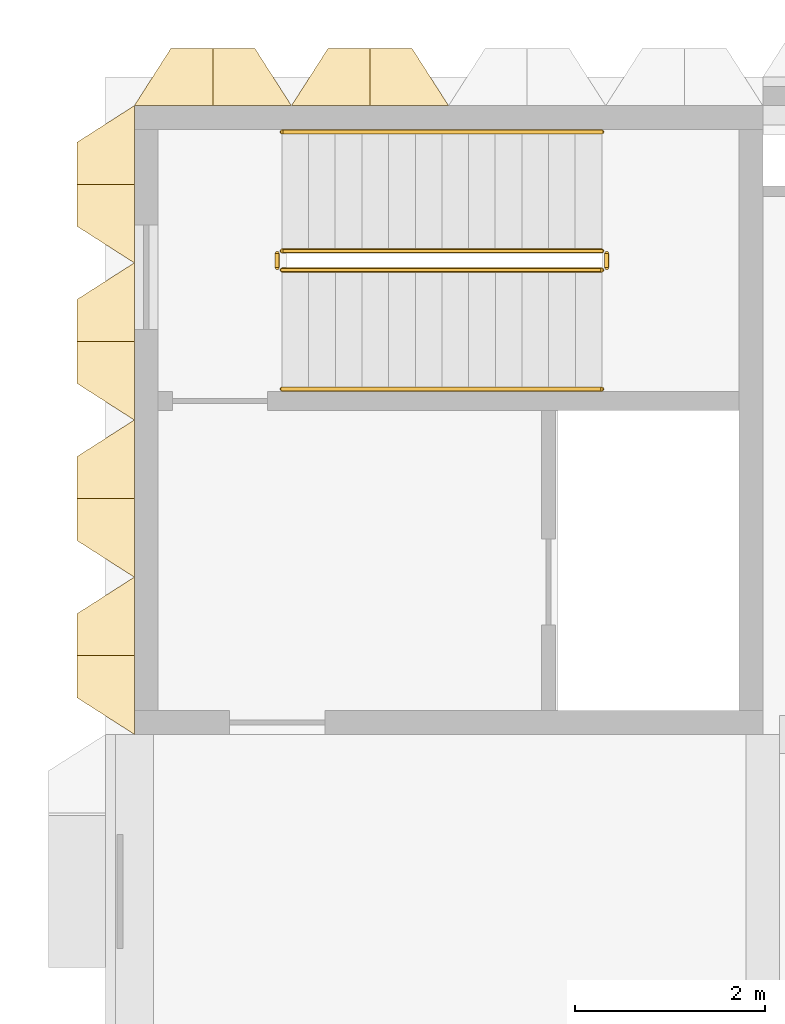
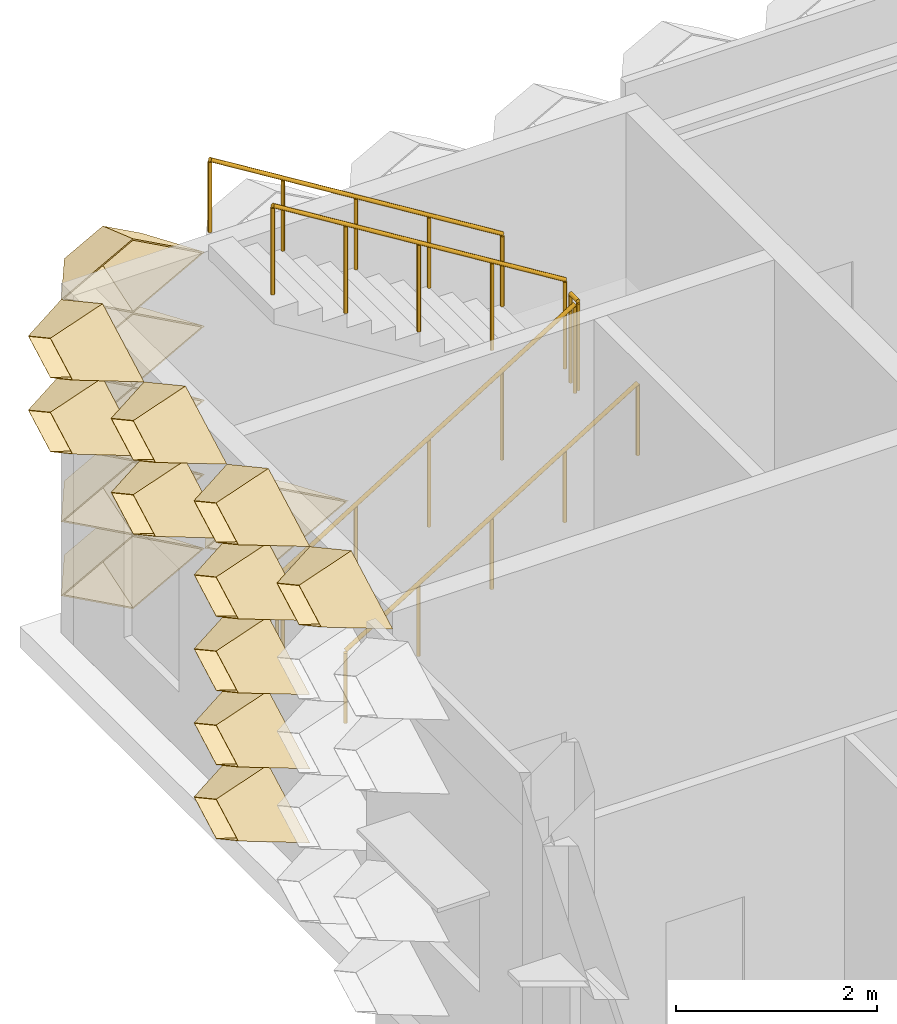
# One storey, part 76 of 87: 16 coverings, 6 railings.
"""IFC4 building model written with IfcOpenShell, lengths in metres."""

from ifc_helpers import new_model, entity, si_unit, direction, frame, origin, origin_2d, place, context, subcontext, project, spatial, circle, extrude, material, layer, layer_set, type_object, element, save


model = new_model("IFC4")

# Units and contexts
model_context = context("Model", 3, precision=1e-05, world=origin(), true_north=direction((0.0, 1.0)))
body_context = subcontext(model_context, "Body", "Model", "MODEL_VIEW")
ifc_project = project(units=[si_unit("LENGTHUNIT", "METRE"), si_unit("AREAUNIT", "SQUARE_METRE"), si_unit("VOLUMEUNIT", "CUBIC_METRE"), si_unit("PLANEANGLEUNIT", "RADIAN"), si_unit("MASSUNIT", "GRAM", prefix="KILO")], contexts=[model_context])

# Site, building, storey
site_placement = place(None, origin())
site = spatial("IfcSite", under=ifc_project, at=site_placement, CompositionType="ELEMENT")
building_placement = place(site_placement, origin())
building = spatial("IfcBuilding", under=site, at=building_placement, Name="Lantern Court Research Institute", CompositionType="ELEMENT")
storey_placement = place(building_placement, frame((0.0, 0.0, 5.39990234375)))
storey = spatial("IfcBuildingStorey", under=building, at=storey_placement, Name="L01", CompositionType="ELEMENT", Elevation=5.39990234375)

# Coverings
ifc_material_1 = material(Name="Anodised aluminium", Category="aluminium")
ifc_layer = layer(ifc_material_1, 0.01611328125)
ifc_layer_set = layer_set([ifc_layer], Name="Anodised aluminium")
covering_type = type_object("IfcCoveringType", Name="Fin cassette 1650 x 900 x 600 aluminium", PredefinedType="CLADDING", material=ifc_layer_set)
covering_1_placement = place(storey_placement, frame((0.824951171875, 99.0, 0.4501953125), z_axis=(0.0, 1.0, 0.0), x_axis=(-1.0, 0.0, 0.0)))
cartesian_point_1 = entity("IfcCartesianPoint", [0.824951171875, 0.0])
cartesian_point_2 = entity("IfcCartesianPoint", [0.79150390625, 0.0])
cartesian_point_3 = entity("IfcCartesianPoint", [0.44189453125, 0.0])
cartesian_point_4 = entity("IfcCartesianPoint", [0.43359375, 0.0])
element("IfcCovering", 1, at=covering_1_placement, inside=storey, type_object=covering_type, Name="Fin cassette V6N-L01 1.1", PredefinedType="CLADDING", context=body_context, shape_type="SweptSolid", body=[
    entity("IfcExtrudedAreaSolidTapered", entity("IfcArbitraryProfileDefWithVoids", "AREA", None, entity("IfcPolyline", [cartesian_point_1, entity("IfcCartesianPoint", [0.0, 0.449951171875]), entity("IfcCartesianPoint", [-0.824951171875, 0.0]), entity("IfcCartesianPoint", [0.0, -0.449951171875]), cartesian_point_1]), [entity("IfcPolyline", [cartesian_point_2, entity("IfcCartesianPoint", [0.0, 0.431884765625]), entity("IfcCartesianPoint", [-0.79150390625, 0.0]), entity("IfcCartesianPoint", [0.0, -0.431884765625]), cartesian_point_2])]), entity("IfcAxis2Placement3D", entity("IfcCartesianPoint", [0.0, 0.0, 0.0])), entity("IfcDirection", [0.0, 0.0, 1.0]), 0.60009765625, entity("IfcArbitraryProfileDefWithVoids", "AREA", None, entity("IfcPolyline", [cartesian_point_3, entity("IfcCartesianPoint", [0.0, 0.240966796875]), entity("IfcCartesianPoint", [-0.44189453125, 0.0]), entity("IfcCartesianPoint", [0.0, -0.240966796875]), cartesian_point_3]), [entity("IfcPolyline", [cartesian_point_4, entity("IfcCartesianPoint", [0.0, 0.236572265625]), entity("IfcCartesianPoint", [-0.43359375, 0.0]), entity("IfcCartesianPoint", [0.0, -0.236572265625]), cartesian_point_4])])),
])
covering_2_placement = place(storey_placement, frame((2.47509765625, 99.0, 0.4501953125), z_axis=(0.0, 1.0, 0.0), x_axis=(-1.0, 0.0, 0.0)))
cartesian_point_5 = entity("IfcCartesianPoint", [0.824951171875, 0.0])
cartesian_point_6 = entity("IfcCartesianPoint", [0.79150390625, 0.0])
cartesian_point_7 = entity("IfcCartesianPoint", [0.44189453125, 0.0])
cartesian_point_8 = entity("IfcCartesianPoint", [0.43359375, 0.0])
element("IfcCovering", 2, at=covering_2_placement, inside=storey, type_object=covering_type, Name="Fin cassette V6N-L01 1.2", PredefinedType="CLADDING", context=body_context, shape_type="SweptSolid", body=[
    entity("IfcExtrudedAreaSolidTapered", entity("IfcArbitraryProfileDefWithVoids", "AREA", None, entity("IfcPolyline", [cartesian_point_5, entity("IfcCartesianPoint", [0.0, 0.449951171875]), entity("IfcCartesianPoint", [-0.824951171875, 0.0]), entity("IfcCartesianPoint", [0.0, -0.449951171875]), cartesian_point_5]), [entity("IfcPolyline", [cartesian_point_6, entity("IfcCartesianPoint", [0.0, 0.431884765625]), entity("IfcCartesianPoint", [-0.79150390625, 0.0]), entity("IfcCartesianPoint", [0.0, -0.431884765625]), cartesian_point_6])]), entity("IfcAxis2Placement3D", entity("IfcCartesianPoint", [0.0, 0.0, 0.0])), entity("IfcDirection", [0.0, 0.0, 1.0]), 0.60009765625, entity("IfcArbitraryProfileDefWithVoids", "AREA", None, entity("IfcPolyline", [cartesian_point_7, entity("IfcCartesianPoint", [0.0, 0.240966796875]), entity("IfcCartesianPoint", [-0.44189453125, 0.0]), entity("IfcCartesianPoint", [0.0, -0.240966796875]), cartesian_point_7]), [entity("IfcPolyline", [cartesian_point_8, entity("IfcCartesianPoint", [0.0, 0.236572265625]), entity("IfcCartesianPoint", [-0.43359375, 0.0]), entity("IfcCartesianPoint", [0.0, -0.236572265625]), cartesian_point_8])])),
])
covering_3_placement = place(storey_placement, frame((0.824951171875, 99.0, 1.35009765625), z_axis=(0.0, 1.0, 0.0), x_axis=(-1.0, 0.0, 0.0)))
cartesian_point_9 = entity("IfcCartesianPoint", [0.824951171875, 0.0])
cartesian_point_10 = entity("IfcCartesianPoint", [0.79150390625, 0.0])
cartesian_point_11 = entity("IfcCartesianPoint", [0.44189453125, 0.0])
cartesian_point_12 = entity("IfcCartesianPoint", [0.43359375, 0.0])
element("IfcCovering", 3, at=covering_3_placement, inside=storey, type_object=covering_type, Name="Fin cassette V6N-L01 2.1", PredefinedType="CLADDING", context=body_context, shape_type="SweptSolid", body=[
    entity("IfcExtrudedAreaSolidTapered", entity("IfcArbitraryProfileDefWithVoids", "AREA", None, entity("IfcPolyline", [cartesian_point_9, entity("IfcCartesianPoint", [0.0, 0.449951171875]), entity("IfcCartesianPoint", [-0.824951171875, 0.0]), entity("IfcCartesianPoint", [0.0, -0.449951171875]), cartesian_point_9]), [entity("IfcPolyline", [cartesian_point_10, entity("IfcCartesianPoint", [0.0, 0.431884765625]), entity("IfcCartesianPoint", [-0.79150390625, 0.0]), entity("IfcCartesianPoint", [0.0, -0.431884765625]), cartesian_point_10])]), entity("IfcAxis2Placement3D", entity("IfcCartesianPoint", [0.0, 0.0, 0.0])), entity("IfcDirection", [0.0, 0.0, 1.0]), 0.60009765625, entity("IfcArbitraryProfileDefWithVoids", "AREA", None, entity("IfcPolyline", [cartesian_point_11, entity("IfcCartesianPoint", [0.0, 0.240966796875]), entity("IfcCartesianPoint", [-0.44189453125, 0.0]), entity("IfcCartesianPoint", [0.0, -0.240966796875]), cartesian_point_11]), [entity("IfcPolyline", [cartesian_point_12, entity("IfcCartesianPoint", [0.0, 0.236572265625]), entity("IfcCartesianPoint", [-0.43359375, 0.0]), entity("IfcCartesianPoint", [0.0, -0.236572265625]), cartesian_point_12])])),
])
covering_4_placement = place(storey_placement, frame((0.824951171875, 99.0, 2.25), z_axis=(0.0, 1.0, 0.0), x_axis=(-1.0, 0.0, 0.0)))
cartesian_point_13 = entity("IfcCartesianPoint", [0.824951171875, 0.0])
cartesian_point_14 = entity("IfcCartesianPoint", [0.79150390625, 0.0])
cartesian_point_15 = entity("IfcCartesianPoint", [0.44189453125, 0.0])
cartesian_point_16 = entity("IfcCartesianPoint", [0.43359375, 0.0])
element("IfcCovering", 4, at=covering_4_placement, inside=storey, type_object=covering_type, Name="Fin cassette V6N-L01 3.1", PredefinedType="CLADDING", context=body_context, shape_type="SweptSolid", body=[
    entity("IfcExtrudedAreaSolidTapered", entity("IfcArbitraryProfileDefWithVoids", "AREA", None, entity("IfcPolyline", [cartesian_point_13, entity("IfcCartesianPoint", [0.0, 0.449951171875]), entity("IfcCartesianPoint", [-0.824951171875, 0.0]), entity("IfcCartesianPoint", [0.0, -0.449951171875]), cartesian_point_13]), [entity("IfcPolyline", [cartesian_point_14, entity("IfcCartesianPoint", [0.0, 0.431884765625]), entity("IfcCartesianPoint", [-0.79150390625, 0.0]), entity("IfcCartesianPoint", [0.0, -0.431884765625]), cartesian_point_14])]), entity("IfcAxis2Placement3D", entity("IfcCartesianPoint", [0.0, 0.0, 0.0])), entity("IfcDirection", [0.0, 0.0, 1.0]), 0.60009765625, entity("IfcArbitraryProfileDefWithVoids", "AREA", None, entity("IfcPolyline", [cartesian_point_15, entity("IfcCartesianPoint", [0.0, 0.240966796875]), entity("IfcCartesianPoint", [-0.44189453125, 0.0]), entity("IfcCartesianPoint", [0.0, -0.240966796875]), cartesian_point_15]), [entity("IfcPolyline", [cartesian_point_16, entity("IfcCartesianPoint", [0.0, 0.236572265625]), entity("IfcCartesianPoint", [-0.43359375, 0.0]), entity("IfcCartesianPoint", [0.0, -0.236572265625]), cartesian_point_16])])),
])
covering_5_placement = place(storey_placement, frame((0.824951171875, 99.0, 3.150146484375), z_axis=(0.0, 1.0, 0.0), x_axis=(-1.0, 0.0, 0.0)))
cartesian_point_17 = entity("IfcCartesianPoint", [0.824951171875, 0.0])
cartesian_point_18 = entity("IfcCartesianPoint", [0.79150390625, 0.0])
cartesian_point_19 = entity("IfcCartesianPoint", [0.44189453125, 0.0])
cartesian_point_20 = entity("IfcCartesianPoint", [0.43359375, 0.0])
element("IfcCovering", 5, at=covering_5_placement, inside=storey, type_object=covering_type, Name="Fin cassette V6N-L01 4.1", PredefinedType="CLADDING", context=body_context, shape_type="SweptSolid", body=[
    entity("IfcExtrudedAreaSolidTapered", entity("IfcArbitraryProfileDefWithVoids", "AREA", None, entity("IfcPolyline", [cartesian_point_17, entity("IfcCartesianPoint", [0.0, 0.449951171875]), entity("IfcCartesianPoint", [-0.824951171875, 0.0]), entity("IfcCartesianPoint", [0.0, -0.449951171875]), cartesian_point_17]), [entity("IfcPolyline", [cartesian_point_18, entity("IfcCartesianPoint", [0.0, 0.431884765625]), entity("IfcCartesianPoint", [-0.79150390625, 0.0]), entity("IfcCartesianPoint", [0.0, -0.431884765625]), cartesian_point_18])]), entity("IfcAxis2Placement3D", entity("IfcCartesianPoint", [0.0, 0.0, 0.0])), entity("IfcDirection", [0.0, 0.0, 1.0]), 0.60009765625, entity("IfcArbitraryProfileDefWithVoids", "AREA", None, entity("IfcPolyline", [cartesian_point_19, entity("IfcCartesianPoint", [0.0, 0.240966796875]), entity("IfcCartesianPoint", [-0.44189453125, 0.0]), entity("IfcCartesianPoint", [0.0, -0.240966796875]), cartesian_point_19]), [entity("IfcPolyline", [cartesian_point_20, entity("IfcCartesianPoint", [0.0, 0.236572265625]), entity("IfcCartesianPoint", [-0.43359375, 0.0]), entity("IfcCartesianPoint", [0.0, -0.236572265625]), cartesian_point_20])])),
])
covering_6_placement = place(storey_placement, frame((0.824951171875, 99.0, 4.050048828125), z_axis=(0.0, 1.0, 0.0), x_axis=(-1.0, 0.0, 0.0)))
cartesian_point_21 = entity("IfcCartesianPoint", [0.824951171875, 0.0])
cartesian_point_22 = entity("IfcCartesianPoint", [0.79150390625, 0.0])
cartesian_point_23 = entity("IfcCartesianPoint", [0.44189453125, 0.0])
cartesian_point_24 = entity("IfcCartesianPoint", [0.43359375, 0.0])
element("IfcCovering", 6, at=covering_6_placement, inside=storey, type_object=covering_type, Name="Fin cassette V6N-L01 5.1", PredefinedType="CLADDING", context=body_context, shape_type="SweptSolid", body=[
    entity("IfcExtrudedAreaSolidTapered", entity("IfcArbitraryProfileDefWithVoids", "AREA", None, entity("IfcPolyline", [cartesian_point_21, entity("IfcCartesianPoint", [0.0, 0.449951171875]), entity("IfcCartesianPoint", [-0.824951171875, 0.0]), entity("IfcCartesianPoint", [0.0, -0.449951171875]), cartesian_point_21]), [entity("IfcPolyline", [cartesian_point_22, entity("IfcCartesianPoint", [0.0, 0.431884765625]), entity("IfcCartesianPoint", [-0.79150390625, 0.0]), entity("IfcCartesianPoint", [0.0, -0.431884765625]), cartesian_point_22])]), entity("IfcAxis2Placement3D", entity("IfcCartesianPoint", [0.0, 0.0, 0.0])), entity("IfcDirection", [0.0, 0.0, 1.0]), 0.60009765625, entity("IfcArbitraryProfileDefWithVoids", "AREA", None, entity("IfcPolyline", [cartesian_point_23, entity("IfcCartesianPoint", [0.0, 0.240966796875]), entity("IfcCartesianPoint", [-0.44189453125, 0.0]), entity("IfcCartesianPoint", [0.0, -0.240966796875]), cartesian_point_23]), [entity("IfcPolyline", [cartesian_point_24, entity("IfcCartesianPoint", [0.0, 0.236572265625]), entity("IfcCartesianPoint", [-0.43359375, 0.0]), entity("IfcCartesianPoint", [0.0, -0.236572265625]), cartesian_point_24])])),
])
covering_7_placement = place(storey_placement, frame((0.0, 94.875, 0.4501953125), z_axis=(-1.0, 0.0, 0.0), x_axis=(0.0, -1.0, 0.0)))
cartesian_point_25 = entity("IfcCartesianPoint", [0.824951171875, 0.0])
cartesian_point_26 = entity("IfcCartesianPoint", [0.79150390625, 0.0])
cartesian_point_27 = entity("IfcCartesianPoint", [0.44189453125, 0.0])
cartesian_point_28 = entity("IfcCartesianPoint", [0.43359375, 0.0])
element("IfcCovering", 7, at=covering_7_placement, inside=storey, type_object=covering_type, Name="Fin cassette V6W-L01 1.58", PredefinedType="CLADDING", context=body_context, shape_type="SweptSolid", body=[
    entity("IfcExtrudedAreaSolidTapered", entity("IfcArbitraryProfileDefWithVoids", "AREA", None, entity("IfcPolyline", [cartesian_point_25, entity("IfcCartesianPoint", [0.0, 0.449951171875]), entity("IfcCartesianPoint", [-0.824951171875, 0.0]), entity("IfcCartesianPoint", [0.0, -0.449951171875]), cartesian_point_25]), [entity("IfcPolyline", [cartesian_point_26, entity("IfcCartesianPoint", [0.0, 0.431884765625]), entity("IfcCartesianPoint", [-0.79150390625, 0.0]), entity("IfcCartesianPoint", [0.0, -0.431884765625]), cartesian_point_26])]), entity("IfcAxis2Placement3D", entity("IfcCartesianPoint", [0.0, 0.0, 0.0])), entity("IfcDirection", [0.0, 0.0, 1.0]), 0.60009765625, entity("IfcArbitraryProfileDefWithVoids", "AREA", None, entity("IfcPolyline", [cartesian_point_27, entity("IfcCartesianPoint", [0.0, 0.240966796875]), entity("IfcCartesianPoint", [-0.44189453125, 0.0]), entity("IfcCartesianPoint", [0.0, -0.240966796875]), cartesian_point_27]), [entity("IfcPolyline", [cartesian_point_28, entity("IfcCartesianPoint", [0.0, 0.236572265625]), entity("IfcCartesianPoint", [-0.43359375, 0.0]), entity("IfcCartesianPoint", [0.0, -0.236572265625]), cartesian_point_28])])),
])
covering_8_placement = place(storey_placement, frame((0.0, 94.875, 1.35009765625), z_axis=(-1.0, 0.0, 0.0), x_axis=(0.0, -1.0, 0.0)))
cartesian_point_29 = entity("IfcCartesianPoint", [0.824951171875, 0.0])
cartesian_point_30 = entity("IfcCartesianPoint", [0.79150390625, 0.0])
cartesian_point_31 = entity("IfcCartesianPoint", [0.44189453125, 0.0])
cartesian_point_32 = entity("IfcCartesianPoint", [0.43359375, 0.0])
element("IfcCovering", 8, at=covering_8_placement, inside=storey, type_object=covering_type, Name="Fin cassette V6W-L01 2.58", PredefinedType="CLADDING", context=body_context, shape_type="SweptSolid", body=[
    entity("IfcExtrudedAreaSolidTapered", entity("IfcArbitraryProfileDefWithVoids", "AREA", None, entity("IfcPolyline", [cartesian_point_29, entity("IfcCartesianPoint", [0.0, 0.449951171875]), entity("IfcCartesianPoint", [-0.824951171875, 0.0]), entity("IfcCartesianPoint", [0.0, -0.449951171875]), cartesian_point_29]), [entity("IfcPolyline", [cartesian_point_30, entity("IfcCartesianPoint", [0.0, 0.431884765625]), entity("IfcCartesianPoint", [-0.79150390625, 0.0]), entity("IfcCartesianPoint", [0.0, -0.431884765625]), cartesian_point_30])]), entity("IfcAxis2Placement3D", entity("IfcCartesianPoint", [0.0, 0.0, 0.0])), entity("IfcDirection", [0.0, 0.0, 1.0]), 0.60009765625, entity("IfcArbitraryProfileDefWithVoids", "AREA", None, entity("IfcPolyline", [cartesian_point_31, entity("IfcCartesianPoint", [0.0, 0.240966796875]), entity("IfcCartesianPoint", [-0.44189453125, 0.0]), entity("IfcCartesianPoint", [0.0, -0.240966796875]), cartesian_point_31]), [entity("IfcPolyline", [cartesian_point_32, entity("IfcCartesianPoint", [0.0, 0.236572265625]), entity("IfcCartesianPoint", [-0.43359375, 0.0]), entity("IfcCartesianPoint", [0.0, -0.236572265625]), cartesian_point_32])])),
])
covering_9_placement = place(storey_placement, frame((0.0, 94.875, 2.25), z_axis=(-1.0, 0.0, 0.0), x_axis=(0.0, -1.0, 0.0)))
cartesian_point_33 = entity("IfcCartesianPoint", [0.824951171875, 0.0])
cartesian_point_34 = entity("IfcCartesianPoint", [0.79150390625, 0.0])
cartesian_point_35 = entity("IfcCartesianPoint", [0.44189453125, 0.0])
cartesian_point_36 = entity("IfcCartesianPoint", [0.43359375, 0.0])
element("IfcCovering", 9, at=covering_9_placement, inside=storey, type_object=covering_type, Name="Fin cassette V6W-L01 3.58", PredefinedType="CLADDING", context=body_context, shape_type="SweptSolid", body=[
    entity("IfcExtrudedAreaSolidTapered", entity("IfcArbitraryProfileDefWithVoids", "AREA", None, entity("IfcPolyline", [cartesian_point_33, entity("IfcCartesianPoint", [0.0, 0.449951171875]), entity("IfcCartesianPoint", [-0.824951171875, 0.0]), entity("IfcCartesianPoint", [0.0, -0.449951171875]), cartesian_point_33]), [entity("IfcPolyline", [cartesian_point_34, entity("IfcCartesianPoint", [0.0, 0.431884765625]), entity("IfcCartesianPoint", [-0.79150390625, 0.0]), entity("IfcCartesianPoint", [0.0, -0.431884765625]), cartesian_point_34])]), entity("IfcAxis2Placement3D", entity("IfcCartesianPoint", [0.0, 0.0, 0.0])), entity("IfcDirection", [0.0, 0.0, 1.0]), 0.60009765625, entity("IfcArbitraryProfileDefWithVoids", "AREA", None, entity("IfcPolyline", [cartesian_point_35, entity("IfcCartesianPoint", [0.0, 0.240966796875]), entity("IfcCartesianPoint", [-0.44189453125, 0.0]), entity("IfcCartesianPoint", [0.0, -0.240966796875]), cartesian_point_35]), [entity("IfcPolyline", [cartesian_point_36, entity("IfcCartesianPoint", [0.0, 0.236572265625]), entity("IfcCartesianPoint", [-0.43359375, 0.0]), entity("IfcCartesianPoint", [0.0, -0.236572265625]), cartesian_point_36])])),
])
covering_10_placement = place(storey_placement, frame((0.0, 94.875, 3.150146484375), z_axis=(-1.0, 0.0, 0.0), x_axis=(0.0, -1.0, 0.0)))
cartesian_point_37 = entity("IfcCartesianPoint", [0.824951171875, 0.0])
cartesian_point_38 = entity("IfcCartesianPoint", [0.79150390625, 0.0])
cartesian_point_39 = entity("IfcCartesianPoint", [0.44189453125, 0.0])
cartesian_point_40 = entity("IfcCartesianPoint", [0.43359375, 0.0])
element("IfcCovering", 10, at=covering_10_placement, inside=storey, type_object=covering_type, Name="Fin cassette V6W-L01 4.58", PredefinedType="CLADDING", context=body_context, shape_type="SweptSolid", body=[
    entity("IfcExtrudedAreaSolidTapered", entity("IfcArbitraryProfileDefWithVoids", "AREA", None, entity("IfcPolyline", [cartesian_point_37, entity("IfcCartesianPoint", [0.0, 0.449951171875]), entity("IfcCartesianPoint", [-0.824951171875, 0.0]), entity("IfcCartesianPoint", [0.0, -0.449951171875]), cartesian_point_37]), [entity("IfcPolyline", [cartesian_point_38, entity("IfcCartesianPoint", [0.0, 0.431884765625]), entity("IfcCartesianPoint", [-0.79150390625, 0.0]), entity("IfcCartesianPoint", [0.0, -0.431884765625]), cartesian_point_38])]), entity("IfcAxis2Placement3D", entity("IfcCartesianPoint", [0.0, 0.0, 0.0])), entity("IfcDirection", [0.0, 0.0, 1.0]), 0.60009765625, entity("IfcArbitraryProfileDefWithVoids", "AREA", None, entity("IfcPolyline", [cartesian_point_39, entity("IfcCartesianPoint", [0.0, 0.240966796875]), entity("IfcCartesianPoint", [-0.44189453125, 0.0]), entity("IfcCartesianPoint", [0.0, -0.240966796875]), cartesian_point_39]), [entity("IfcPolyline", [cartesian_point_40, entity("IfcCartesianPoint", [0.0, 0.236572265625]), entity("IfcCartesianPoint", [-0.43359375, 0.0]), entity("IfcCartesianPoint", [0.0, -0.236572265625]), cartesian_point_40])])),
])
covering_11_placement = place(storey_placement, frame((0.0, 96.52490234375, 3.150146484375), z_axis=(-1.0, 0.0, 0.0), x_axis=(0.0, -1.0, 0.0)))
cartesian_point_41 = entity("IfcCartesianPoint", [0.824951171875, 0.0])
cartesian_point_42 = entity("IfcCartesianPoint", [0.79150390625, 0.0])
cartesian_point_43 = entity("IfcCartesianPoint", [0.44189453125, 0.0])
cartesian_point_44 = entity("IfcCartesianPoint", [0.43359375, 0.0])
element("IfcCovering", 11, at=covering_11_placement, inside=storey, type_object=covering_type, Name="Fin cassette V6W-L01 4.59", PredefinedType="CLADDING", context=body_context, shape_type="SweptSolid", body=[
    entity("IfcExtrudedAreaSolidTapered", entity("IfcArbitraryProfileDefWithVoids", "AREA", None, entity("IfcPolyline", [cartesian_point_41, entity("IfcCartesianPoint", [0.0, 0.449951171875]), entity("IfcCartesianPoint", [-0.824951171875, 0.0]), entity("IfcCartesianPoint", [0.0, -0.449951171875]), cartesian_point_41]), [entity("IfcPolyline", [cartesian_point_42, entity("IfcCartesianPoint", [0.0, 0.431884765625]), entity("IfcCartesianPoint", [-0.79150390625, 0.0]), entity("IfcCartesianPoint", [0.0, -0.431884765625]), cartesian_point_42])]), entity("IfcAxis2Placement3D", entity("IfcCartesianPoint", [0.0, 0.0, 0.0])), entity("IfcDirection", [0.0, 0.0, 1.0]), 0.60009765625, entity("IfcArbitraryProfileDefWithVoids", "AREA", None, entity("IfcPolyline", [cartesian_point_43, entity("IfcCartesianPoint", [0.0, 0.240966796875]), entity("IfcCartesianPoint", [-0.44189453125, 0.0]), entity("IfcCartesianPoint", [0.0, -0.240966796875]), cartesian_point_43]), [entity("IfcPolyline", [cartesian_point_44, entity("IfcCartesianPoint", [0.0, 0.236572265625]), entity("IfcCartesianPoint", [-0.43359375, 0.0]), entity("IfcCartesianPoint", [0.0, -0.236572265625]), cartesian_point_44])])),
])
covering_12_placement = place(storey_placement, frame((0.0, 98.175048828125, 3.150146484375), z_axis=(-1.0, 0.0, 0.0), x_axis=(0.0, -1.0, 0.0)))
cartesian_point_45 = entity("IfcCartesianPoint", [0.824951171875, 0.0])
cartesian_point_46 = entity("IfcCartesianPoint", [0.79150390625, 0.0])
cartesian_point_47 = entity("IfcCartesianPoint", [0.44189453125, 0.0])
cartesian_point_48 = entity("IfcCartesianPoint", [0.43359375, 0.0])
element("IfcCovering", 12, at=covering_12_placement, inside=storey, type_object=covering_type, Name="Fin cassette V6W-L01 4.60", PredefinedType="CLADDING", context=body_context, shape_type="SweptSolid", body=[
    entity("IfcExtrudedAreaSolidTapered", entity("IfcArbitraryProfileDefWithVoids", "AREA", None, entity("IfcPolyline", [cartesian_point_45, entity("IfcCartesianPoint", [0.0, 0.449951171875]), entity("IfcCartesianPoint", [-0.824951171875, 0.0]), entity("IfcCartesianPoint", [0.0, -0.449951171875]), cartesian_point_45]), [entity("IfcPolyline", [cartesian_point_46, entity("IfcCartesianPoint", [0.0, 0.431884765625]), entity("IfcCartesianPoint", [-0.79150390625, 0.0]), entity("IfcCartesianPoint", [0.0, -0.431884765625]), cartesian_point_46])]), entity("IfcAxis2Placement3D", entity("IfcCartesianPoint", [0.0, 0.0, 0.0])), entity("IfcDirection", [0.0, 0.0, 1.0]), 0.60009765625, entity("IfcArbitraryProfileDefWithVoids", "AREA", None, entity("IfcPolyline", [cartesian_point_47, entity("IfcCartesianPoint", [0.0, 0.240966796875]), entity("IfcCartesianPoint", [-0.44189453125, 0.0]), entity("IfcCartesianPoint", [0.0, -0.240966796875]), cartesian_point_47]), [entity("IfcPolyline", [cartesian_point_48, entity("IfcCartesianPoint", [0.0, 0.236572265625]), entity("IfcCartesianPoint", [-0.43359375, 0.0]), entity("IfcCartesianPoint", [0.0, -0.236572265625]), cartesian_point_48])])),
])
covering_13_placement = place(storey_placement, frame((0.0, 93.22509765625, 4.050048828125), z_axis=(-1.0, 0.0, 0.0), x_axis=(0.0, -1.0, 0.0)))
cartesian_point_49 = entity("IfcCartesianPoint", [0.824951171875, 0.0])
cartesian_point_50 = entity("IfcCartesianPoint", [0.79150390625, 0.0])
cartesian_point_51 = entity("IfcCartesianPoint", [0.44189453125, 0.0])
cartesian_point_52 = entity("IfcCartesianPoint", [0.43359375, 0.0])
element("IfcCovering", 13, at=covering_13_placement, inside=storey, type_object=covering_type, Name="Fin cassette V6W-L01 5.57", PredefinedType="CLADDING", context=body_context, shape_type="SweptSolid", body=[
    entity("IfcExtrudedAreaSolidTapered", entity("IfcArbitraryProfileDefWithVoids", "AREA", None, entity("IfcPolyline", [cartesian_point_49, entity("IfcCartesianPoint", [0.0, 0.449951171875]), entity("IfcCartesianPoint", [-0.824951171875, 0.0]), entity("IfcCartesianPoint", [0.0, -0.449951171875]), cartesian_point_49]), [entity("IfcPolyline", [cartesian_point_50, entity("IfcCartesianPoint", [0.0, 0.431884765625]), entity("IfcCartesianPoint", [-0.79150390625, 0.0]), entity("IfcCartesianPoint", [0.0, -0.431884765625]), cartesian_point_50])]), entity("IfcAxis2Placement3D", entity("IfcCartesianPoint", [0.0, 0.0, 0.0])), entity("IfcDirection", [0.0, 0.0, 1.0]), 0.60009765625, entity("IfcArbitraryProfileDefWithVoids", "AREA", None, entity("IfcPolyline", [cartesian_point_51, entity("IfcCartesianPoint", [0.0, 0.240966796875]), entity("IfcCartesianPoint", [-0.44189453125, 0.0]), entity("IfcCartesianPoint", [0.0, -0.240966796875]), cartesian_point_51]), [entity("IfcPolyline", [cartesian_point_52, entity("IfcCartesianPoint", [0.0, 0.236572265625]), entity("IfcCartesianPoint", [-0.43359375, 0.0]), entity("IfcCartesianPoint", [0.0, -0.236572265625]), cartesian_point_52])])),
])
covering_14_placement = place(storey_placement, frame((0.0, 94.875, 4.050048828125), z_axis=(-1.0, 0.0, 0.0), x_axis=(0.0, -1.0, 0.0)))
cartesian_point_53 = entity("IfcCartesianPoint", [0.824951171875, 0.0])
cartesian_point_54 = entity("IfcCartesianPoint", [0.79150390625, 0.0])
cartesian_point_55 = entity("IfcCartesianPoint", [0.44189453125, 0.0])
cartesian_point_56 = entity("IfcCartesianPoint", [0.43359375, 0.0])
element("IfcCovering", 14, at=covering_14_placement, inside=storey, type_object=covering_type, Name="Fin cassette V6W-L01 5.58", PredefinedType="CLADDING", context=body_context, shape_type="SweptSolid", body=[
    entity("IfcExtrudedAreaSolidTapered", entity("IfcArbitraryProfileDefWithVoids", "AREA", None, entity("IfcPolyline", [cartesian_point_53, entity("IfcCartesianPoint", [0.0, 0.449951171875]), entity("IfcCartesianPoint", [-0.824951171875, 0.0]), entity("IfcCartesianPoint", [0.0, -0.449951171875]), cartesian_point_53]), [entity("IfcPolyline", [cartesian_point_54, entity("IfcCartesianPoint", [0.0, 0.431884765625]), entity("IfcCartesianPoint", [-0.79150390625, 0.0]), entity("IfcCartesianPoint", [0.0, -0.431884765625]), cartesian_point_54])]), entity("IfcAxis2Placement3D", entity("IfcCartesianPoint", [0.0, 0.0, 0.0])), entity("IfcDirection", [0.0, 0.0, 1.0]), 0.60009765625, entity("IfcArbitraryProfileDefWithVoids", "AREA", None, entity("IfcPolyline", [cartesian_point_55, entity("IfcCartesianPoint", [0.0, 0.240966796875]), entity("IfcCartesianPoint", [-0.44189453125, 0.0]), entity("IfcCartesianPoint", [0.0, -0.240966796875]), cartesian_point_55]), [entity("IfcPolyline", [cartesian_point_56, entity("IfcCartesianPoint", [0.0, 0.236572265625]), entity("IfcCartesianPoint", [-0.43359375, 0.0]), entity("IfcCartesianPoint", [0.0, -0.236572265625]), cartesian_point_56])])),
])
covering_15_placement = place(storey_placement, frame((0.0, 96.52490234375, 4.050048828125), z_axis=(-1.0, 0.0, 0.0), x_axis=(0.0, -1.0, 0.0)))
cartesian_point_57 = entity("IfcCartesianPoint", [0.824951171875, 0.0])
cartesian_point_58 = entity("IfcCartesianPoint", [0.79150390625, 0.0])
cartesian_point_59 = entity("IfcCartesianPoint", [0.44189453125, 0.0])
cartesian_point_60 = entity("IfcCartesianPoint", [0.43359375, 0.0])
element("IfcCovering", 15, at=covering_15_placement, inside=storey, type_object=covering_type, Name="Fin cassette V6W-L01 5.59", PredefinedType="CLADDING", context=body_context, shape_type="SweptSolid", body=[
    entity("IfcExtrudedAreaSolidTapered", entity("IfcArbitraryProfileDefWithVoids", "AREA", None, entity("IfcPolyline", [cartesian_point_57, entity("IfcCartesianPoint", [0.0, 0.449951171875]), entity("IfcCartesianPoint", [-0.824951171875, 0.0]), entity("IfcCartesianPoint", [0.0, -0.449951171875]), cartesian_point_57]), [entity("IfcPolyline", [cartesian_point_58, entity("IfcCartesianPoint", [0.0, 0.431884765625]), entity("IfcCartesianPoint", [-0.79150390625, 0.0]), entity("IfcCartesianPoint", [0.0, -0.431884765625]), cartesian_point_58])]), entity("IfcAxis2Placement3D", entity("IfcCartesianPoint", [0.0, 0.0, 0.0])), entity("IfcDirection", [0.0, 0.0, 1.0]), 0.60009765625, entity("IfcArbitraryProfileDefWithVoids", "AREA", None, entity("IfcPolyline", [cartesian_point_59, entity("IfcCartesianPoint", [0.0, 0.240966796875]), entity("IfcCartesianPoint", [-0.44189453125, 0.0]), entity("IfcCartesianPoint", [0.0, -0.240966796875]), cartesian_point_59]), [entity("IfcPolyline", [cartesian_point_60, entity("IfcCartesianPoint", [0.0, 0.236572265625]), entity("IfcCartesianPoint", [-0.43359375, 0.0]), entity("IfcCartesianPoint", [0.0, -0.236572265625]), cartesian_point_60])])),
])
covering_16_placement = place(storey_placement, frame((0.0, 98.175048828125, 4.050048828125), z_axis=(-1.0, 0.0, 0.0), x_axis=(0.0, -1.0, 0.0)))
cartesian_point_61 = entity("IfcCartesianPoint", [0.824951171875, 0.0])
cartesian_point_62 = entity("IfcCartesianPoint", [0.79150390625, 0.0])
cartesian_point_63 = entity("IfcCartesianPoint", [0.44189453125, 0.0])
cartesian_point_64 = entity("IfcCartesianPoint", [0.43359375, 0.0])
element("IfcCovering", 16, at=covering_16_placement, inside=storey, type_object=covering_type, Name="Fin cassette V6W-L01 5.60", PredefinedType="CLADDING", context=body_context, shape_type="SweptSolid", body=[
    entity("IfcExtrudedAreaSolidTapered", entity("IfcArbitraryProfileDefWithVoids", "AREA", None, entity("IfcPolyline", [cartesian_point_61, entity("IfcCartesianPoint", [0.0, 0.449951171875]), entity("IfcCartesianPoint", [-0.824951171875, 0.0]), entity("IfcCartesianPoint", [0.0, -0.449951171875]), cartesian_point_61]), [entity("IfcPolyline", [cartesian_point_62, entity("IfcCartesianPoint", [0.0, 0.431884765625]), entity("IfcCartesianPoint", [-0.79150390625, 0.0]), entity("IfcCartesianPoint", [0.0, -0.431884765625]), cartesian_point_62])]), entity("IfcAxis2Placement3D", entity("IfcCartesianPoint", [0.0, 0.0, 0.0])), entity("IfcDirection", [0.0, 0.0, 1.0]), 0.60009765625, entity("IfcArbitraryProfileDefWithVoids", "AREA", None, entity("IfcPolyline", [cartesian_point_63, entity("IfcCartesianPoint", [0.0, 0.240966796875]), entity("IfcCartesianPoint", [-0.44189453125, 0.0]), entity("IfcCartesianPoint", [0.0, -0.240966796875]), cartesian_point_63]), [entity("IfcPolyline", [cartesian_point_64, entity("IfcCartesianPoint", [0.0, 0.236572265625]), entity("IfcCartesianPoint", [-0.43359375, 0.0]), entity("IfcCartesianPoint", [0.0, -0.236572265625]), cartesian_point_64])])),
])

# Railings
ifc_material_2 = material(Name="Structural steel S355", Category="steel")
railing_type_1 = type_object("IfcRailingType", Name="Stair guard 1100 steel", PredefinedType="GUARDRAIL", material=ifc_material_2)
railing_1_placement = place(storey_placement, frame((1.550048828125, 97.27490234375, 0.173095703125)))
element("IfcRailing", 17, at=railing_1_placement, inside=storey, type_object=railing_type_1, Name="L01 ST-W1 stair guard 1", PredefinedType="GUARDRAIL", context=body_context, shape_type="SweptSolid", body=[
    extrude(circle(Radius=0.02392578125, at=origin_2d()), frame((0.0, 0.0, 1.076171875), z_axis=(0.850606129759, 0.0, 0.525803396734), x_axis=(0.0, 1.0, 0.0)), (0.0, 0.0, 1.0), 3.949951171875),
    extrude(circle(Radius=0.02099609375, at=origin_2d()), origin(), (0.0, 0.0, 1.0), 1.052001953125),
    extrude(circle(Radius=0.02099609375, at=origin_2d()), frame((0.83984375, 0.0, 0.519287109375)), (0.0, 0.0, 1.0), 1.052001953125),
    extrude(circle(Radius=0.02099609375, at=origin_2d()), frame((1.679931640625, 0.0, 1.03857421875)), (0.0, 0.0, 1.0), 1.052001953125),
    extrude(circle(Radius=0.02099609375, at=origin_2d()), frame((2.52001953125, 0.0, 1.5576171875)), (0.0, 0.0, 1.0), 1.052001953125),
    extrude(circle(Radius=0.02099609375, at=origin_2d()), frame((3.35986328125, 0.0, 2.076904296875)), (0.0, 0.0, 1.0), 1.052001953125),
])
railing_2_placement = place(storey_placement, frame((4.9599609375, 97.300048828125, 2.25)))
element("IfcRailing", 18, at=railing_2_placement, inside=storey, type_object=railing_type_1, Name="L01 ST-W1 stair guard 2", PredefinedType="GUARDRAIL", context=body_context, shape_type="SweptSolid", body=[
    extrude(circle(Radius=0.02392578125, at=origin_2d()), frame((0.0, 0.0, 1.076171875), z_axis=(0.0, 1.0, 0.0), x_axis=(-1.0, 0.0, 0.0)), (0.0, 0.0, 1.0), 0.14990234375),
    extrude(circle(Radius=0.02099609375, at=origin_2d()), origin(), (0.0, 0.0, 1.0), 1.052001953125),
    extrude(circle(Radius=0.02099609375, at=origin_2d()), frame((0.0, 0.14990234375, 0.0)), (0.0, 0.0, 1.0), 1.052001953125),
])
railing_3_placement = place(storey_placement, frame((4.909912109375, 97.47509765625, 2.423095703125)))
element("IfcRailing", 19, at=railing_3_placement, inside=storey, type_object=railing_type_1, Name="L01 ST-W1 stair guard 3", PredefinedType="GUARDRAIL", context=body_context, shape_type="SweptSolid", body=[
    extrude(circle(Radius=0.02392578125, at=origin_2d()), frame((0.0, 0.0, 1.076171875), z_axis=(-0.850606129759, 0.0, 0.525803396734), x_axis=(0.0, -1.0, 0.0)), (0.0, 0.0, 1.0), 3.949951171875),
    extrude(circle(Radius=0.02099609375, at=origin_2d()), origin(), (0.0, 0.0, 1.0), 1.052001953125),
    extrude(circle(Radius=0.02099609375, at=origin_2d()), frame((-0.83984375, 0.0, 0.519287109375)), (0.0, 0.0, 1.0), 1.052001953125),
    extrude(circle(Radius=0.02099609375, at=origin_2d()), frame((-1.679931640625, 0.0, 1.03857421875)), (0.0, 0.0, 1.0), 1.052001953125),
    extrude(circle(Radius=0.02099609375, at=origin_2d()), frame((-2.52001953125, 0.0, 1.5576171875)), (0.0, 0.0, 1.0), 1.052001953125),
    extrude(circle(Radius=0.02099609375, at=origin_2d()), frame((-3.35986328125, 0.0, 2.076904296875)), (0.0, 0.0, 1.0), 1.052001953125),
])
railing_4_placement = place(storey_placement, frame((1.5, 97.300048828125, 0.0)))
element("IfcRailing", 20, at=railing_4_placement, inside=storey, type_object=railing_type_1, Name="L01 ST-W1 stair guard 4", PredefinedType="GUARDRAIL", context=body_context, shape_type="SweptSolid", body=[
    extrude(circle(Radius=0.02392578125, at=origin_2d()), frame((0.0, 0.0, 1.076171875), z_axis=(0.0, 1.0, 0.0), x_axis=(-1.0, 0.0, 0.0)), (0.0, 0.0, 1.0), 0.14990234375),
    extrude(circle(Radius=0.02099609375, at=origin_2d()), origin(), (0.0, 0.0, 1.0), 1.052001953125),
    extrude(circle(Radius=0.02099609375, at=origin_2d()), frame((0.0, 0.14990234375, 0.0)), (0.0, 0.0, 1.0), 1.052001953125),
])
ifc_material_3 = material(Name="Stainless steel 316", Category="steel")
railing_type_2 = type_object("IfcRailingType", Name="Stair handrail 900 steel", PredefinedType="HANDRAIL", material=ifc_material_3)
railing_5_placement = place(storey_placement, frame((1.550048828125, 96.02490234375, 0.173095703125)))
element("IfcRailing", 21, at=railing_5_placement, inside=storey, type_object=railing_type_2, Name="L01 ST-W1 stair handrail 1", PredefinedType="HANDRAIL", context=body_context, shape_type="SweptSolid", body=[
    extrude(circle(Radius=0.02392578125, at=origin_2d()), frame((0.0, 0.0, 0.8759765625), z_axis=(0.850606129759, 0.0, 0.525803396734), x_axis=(0.0, 1.0, 0.0)), (0.0, 0.0, 1.0), 3.949951171875),
    extrude(circle(Radius=0.02099609375, at=origin_2d()), origin(), (0.0, 0.0, 1.0), 0.851806640625),
    extrude(circle(Radius=0.02099609375, at=origin_2d()), frame((0.83984375, 0.0, 0.519287109375)), (0.0, 0.0, 1.0), 0.851806640625),
    extrude(circle(Radius=0.02099609375, at=origin_2d()), frame((1.679931640625, 0.0, 1.03857421875)), (0.0, 0.0, 1.0), 0.851806640625),
    extrude(circle(Radius=0.02099609375, at=origin_2d()), frame((2.52001953125, 0.0, 1.5576171875)), (0.0, 0.0, 1.0), 0.851806640625),
    extrude(circle(Radius=0.02099609375, at=origin_2d()), frame((3.35986328125, 0.0, 2.076904296875)), (0.0, 0.0, 1.0), 0.851806640625),
])
railing_6_placement = place(storey_placement, frame((4.909912109375, 98.72509765625, 2.423095703125)))
element("IfcRailing", 22, at=railing_6_placement, inside=storey, type_object=railing_type_2, Name="L01 ST-W1 stair handrail 2", PredefinedType="HANDRAIL", context=body_context, shape_type="SweptSolid", body=[
    extrude(circle(Radius=0.02392578125, at=origin_2d()), frame((0.0, 0.0, 0.8759765625), z_axis=(-0.850606129759, 0.0, 0.525803396734), x_axis=(0.0, -1.0, 0.0)), (0.0, 0.0, 1.0), 3.949951171875),
    extrude(circle(Radius=0.02099609375, at=origin_2d()), origin(), (0.0, 0.0, 1.0), 0.851806640625),
    extrude(circle(Radius=0.02099609375, at=origin_2d()), frame((-0.83984375, 0.0, 0.519287109375)), (0.0, 0.0, 1.0), 0.851806640625),
    extrude(circle(Radius=0.02099609375, at=origin_2d()), frame((-1.679931640625, 0.0, 1.03857421875)), (0.0, 0.0, 1.0), 0.851806640625),
    extrude(circle(Radius=0.02099609375, at=origin_2d()), frame((-2.52001953125, 0.0, 1.5576171875)), (0.0, 0.0, 1.0), 0.851806640625),
    extrude(circle(Radius=0.02099609375, at=origin_2d()), frame((-3.35986328125, 0.0, 2.076904296875)), (0.0, 0.0, 1.0), 0.851806640625),
])

save(model, "model.ifc")
